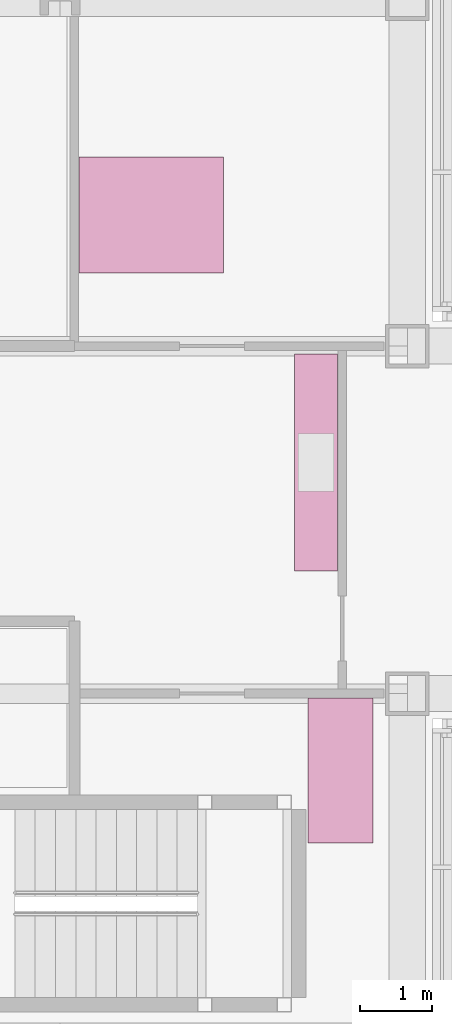
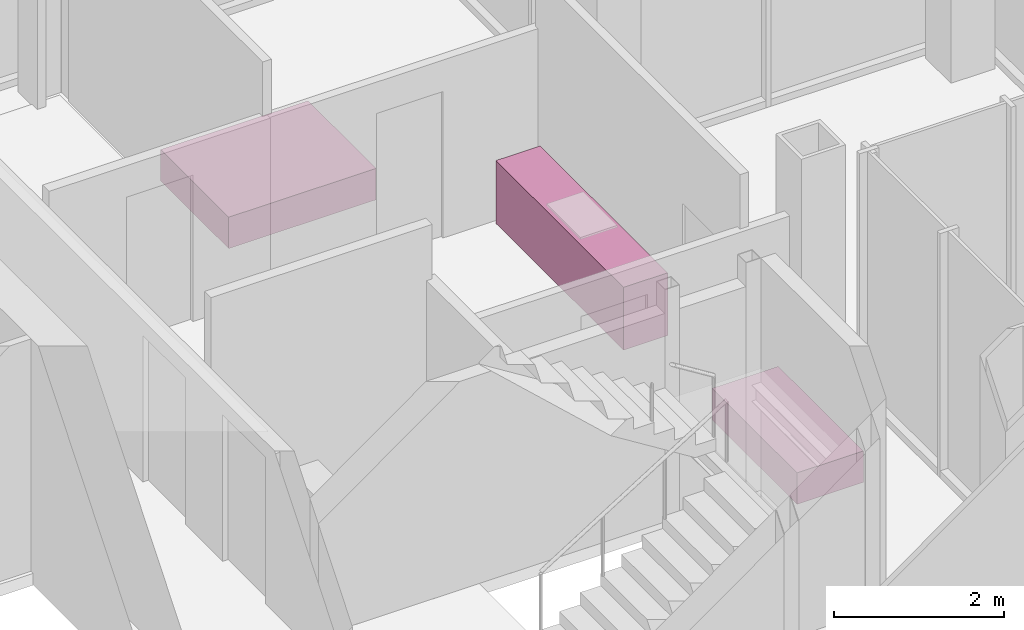
# One storey, part 15 of 15: 3 furniture elements.
"""IFC4 building model written with IfcOpenShell, lengths in metres."""

import ifcopenshell
import ifcopenshell.guid

model = None  # the IFC model being written
_history = None  # IfcOwnerHistory: only IFC2X3 demands one
_inside = {}  # id of a spatial element -> (the spatial element, [elements in it])
_under = {}  # id of a project, library or spatial element -> (it, [spatial elements below it])
_declared = {}  # id of a project -> (the project, [libraries it declares])
_typed = {}  # id of a type object -> (the type object, [elements of that type])
_made_of = {}  # id of a material, layer set ... -> (it, [elements and type objects made of it])


def new_model(schema):
    """Start an empty IFC model of exactly this schema.

    Asked for "IFC4X3", IfcOpenShell would pick the latest addendum, in which some entities
    have other attributes; the version numbers below select the first issue.
    IFC2X3 requires an IfcOwnerHistory on every rooted entity: one is made here for all.
    """
    global model, _history
    if schema == "IFC4X3":
        model = ifcopenshell.file(schema_version=(4, 3, 0, 0))
    else:
        model = ifcopenshell.file(schema=schema)
    _inside.clear()
    _under.clear()
    _declared.clear()
    _typed.clear()
    _made_of.clear()
    _history = None
    if model.schema == "IFC2X3":
        org = make("IfcOrganization", Name="unknown")
        user = make(
            "IfcPersonAndOrganization",
            ThePerson=make("IfcPerson", FamilyName="unknown"),
            TheOrganization=org,
        )
        app = make(
            "IfcApplication",
            ApplicationDeveloper=org,
            Version="unknown",
            ApplicationFullName="unknown",
            ApplicationIdentifier="unknown",
        )
        _history = make(
            "IfcOwnerHistory",
            OwningUser=user,
            OwningApplication=app,
            ChangeAction="ADDED",
            CreationDate=0,
        )
    return model


def make(cls, **values):
    """One entity of the class cls with the attributes given. An attribute that is None is left unset."""
    return model.create_entity(
        cls, **{name: value for name, value in values.items() if value is not None}
    )


def rooted(cls, **values):
    """An entity with a GlobalId (a new one), such as an element, a storey or a relation."""
    return make(cls, GlobalId=ifcopenshell.guid.new(), OwnerHistory=_history, **values)


def si_unit(unit_type, name, prefix=None):
    """IfcSIUnit, for example si_unit("LENGTHUNIT", "METRE", prefix="MILLI")."""
    return make("IfcSIUnit", UnitType=unit_type, Prefix=prefix, Name=name)


def assignment(units):
    """IfcUnitAssignment: the units of a project."""
    return None if units is None else make("IfcUnitAssignment", Units=units)


def point(xyz):
    """IfcCartesianPoint."""
    return None if xyz is None else make("IfcCartesianPoint", Coordinates=xyz)


def direction(xyz):
    """IfcDirection."""
    return None if xyz is None else make("IfcDirection", DirectionRatios=xyz)


def frame(location, z_axis=None, x_axis=None):
    """IfcAxis2Placement3D, a coordinate frame: its origin and axes. An axis left out is left unset."""
    return make(
        "IfcAxis2Placement3D",
        Location=point(location),
        Axis=direction(z_axis),
        RefDirection=direction(x_axis),
    )


def frame_2d(location, x_axis=None):
    """IfcAxis2Placement2D, a coordinate frame in the plane: its origin and x axis."""
    return make(
        "IfcAxis2Placement2D", Location=point(location), RefDirection=direction(x_axis)
    )


def origin():
    """The frame at (0, 0, 0) with its axes left unset."""
    return frame((0.0, 0.0, 0.0))


def origin_2d():
    """The frame at (0, 0) in the plane with its x axis left unset."""
    return frame_2d((0.0, 0.0))


def place(relative_to, where):
    """IfcLocalPlacement: puts the frame where relative to a parent placement (None: the world)."""
    return make(
        "IfcLocalPlacement", PlacementRelTo=relative_to, RelativePlacement=where
    )


def context(
    kind, dimensions, precision=None, world=None, true_north=None, identifier=None
):
    """IfcGeometricRepresentationContext, for example the 3D "Model" context."""
    return make(
        "IfcGeometricRepresentationContext",
        ContextIdentifier=identifier,
        ContextType=kind,
        CoordinateSpaceDimension=dimensions,
        Precision=precision,
        WorldCoordinateSystem=world,
        TrueNorth=true_north,
    )


def subcontext(parent, identifier, kind, view, scale=None):
    """IfcGeometricRepresentationSubContext, for example "Body" below "Model"."""
    return make(
        "IfcGeometricRepresentationSubContext",
        ContextIdentifier=identifier,
        ContextType=kind,
        ParentContext=parent,
        TargetScale=scale,
        TargetView=view,
    )


def project(units=None, contexts=None):
    """IfcProject with its units and contexts."""
    return rooted(
        "IfcProject",
        Name="project",
        RepresentationContexts=contexts,
        UnitsInContext=assignment(units),
    )


def spatial(cls, under=None, at=None, **own):
    """A site, building, storey or space (cls), placed at a placement, below another one or the project."""
    s = rooted(cls, ObjectPlacement=at, **own)
    if under is not None:
        _under.setdefault(under.id(), (under, []))[1].append(s)
    return s


def profile(cls, at=None, kind="AREA", **sizes):
    """A parametric profile (cls). Its sizes go by their IFC names, for example OverallWidth=200.0."""
    return make(cls, ProfileType=kind, Position=at, **sizes)


def rectangle(**sizes):
    """IfcRectangleProfileDef."""
    return profile("IfcRectangleProfileDef", **sizes)


def extrude(swept, where, along, depth):
    """IfcExtrudedAreaSolid: the profile swept, set in the frame where, extruded along a direction by depth."""
    return make(
        "IfcExtrudedAreaSolid",
        SweptArea=swept,
        Position=where,
        ExtrudedDirection=direction(along),
        Depth=depth,
    )


def shape(context_of_items, identifier, shape_type, items):
    """IfcShapeRepresentation: the items that make up one representation, for example the "Body"."""
    return make(
        "IfcShapeRepresentation",
        ContextOfItems=context_of_items,
        RepresentationIdentifier=identifier,
        RepresentationType=shape_type,
        Items=items,
    )


def material(Name=None, Category=None):
    """IfcMaterial."""
    return make("IfcMaterial", Name=Name, Category=Category)


def made_of(thing, what):
    """Note that an element or type object is made of a material, layer set ...; save() writes the relation."""
    if what is not None:
        _made_of.setdefault(what.id(), (what, []))[1].append(thing)
    return thing


def type_object(cls, material=None, **own):
    """A type object (cls), such as IfcWallType, which elements share."""
    return made_of(rooted(cls, **own), material)


def element(
    cls,
    number,
    at=None,
    inside=None,
    cuts=None,
    type_object=None,
    material=None,
    context=None,
    identifier="Body",
    shape_type=None,
    held_by="IfcProductDefinitionShape",
    body=None,
    shapes=None,
    **own,
):
    """One element of the class cls, such as IfcWall. Its Tag is "e" and its number.

    at: its placement. inside: the storey or other place that contains it. cuts: it is an
    opening in that element (IfcRelVoidsElement). A single representation is given by context,
    identifier, shape_type and body (its items); several are given by shapes. held_by: the class
    of the entity that holds the representations. save() writes the other relations.
    """
    e = rooted(cls, Tag="e%d" % number, ObjectPlacement=at, **own)
    if body is not None:
        shapes = [shape(context, identifier, shape_type, body)]
    if shapes is not None:
        e.Representation = make(held_by, Representations=shapes)
    if inside is not None:
        _inside.setdefault(inside.id(), (inside, []))[1].append(e)
    if cuts is not None:
        rooted(
            "IfcRelVoidsElement", RelatingBuildingElement=cuts, RelatedOpeningElement=e
        )
    if type_object is not None:
        _typed.setdefault(type_object.id(), (type_object, []))[1].append(e)
    return made_of(e, material)


def aggregate(whole, parts):
    """IfcRelAggregates: a whole, such as a stair, and the parts it consists of."""
    return rooted("IfcRelAggregates", RelatingObject=whole, RelatedObjects=parts)


def save(model, path):
    """Write the relations noted so far, then the file.

    IfcRelAggregates (storeys below a building ...), IfcRelContainedInSpatialStructure (elements
    in a storey), IfcRelDefinesByType, IfcRelAssociatesMaterial and IfcRelDeclares: one each for
    every whole, place, type object, material and project.
    """
    for whole, parts in _under.values():
        aggregate(whole, parts)
    for where, things in _inside.values():
        rooted(
            "IfcRelContainedInSpatialStructure",
            RelatedElements=things,
            RelatingStructure=where,
        )
    for kind, things in _typed.values():
        rooted("IfcRelDefinesByType", RelatedObjects=things, RelatingType=kind)
    for what, things in _made_of.values():
        rooted("IfcRelAssociatesMaterial", RelatedObjects=things, RelatingMaterial=what)
    for by, libraries in _declared.values():
        rooted("IfcRelDeclares", RelatingContext=by, RelatedDefinitions=libraries)
    model.write(path)


model = new_model("IFC4")

# Units and contexts
model_context = context("Model", 3, precision=1e-05, world=origin(), true_north=direction((0.0, 1.0)))
body_context = subcontext(model_context, "Body", "Model", "MODEL_VIEW")
ifc_project = project(units=[si_unit("LENGTHUNIT", "METRE"), si_unit("AREAUNIT", "SQUARE_METRE"), si_unit("VOLUMEUNIT", "CUBIC_METRE"), si_unit("PLANEANGLEUNIT", "RADIAN"), si_unit("MASSUNIT", "GRAM", prefix="KILO")], contexts=[model_context])

# Site, building, storey
site_placement = place(None, origin())
site = spatial("IfcSite", under=ifc_project, at=site_placement, CompositionType="ELEMENT")
building_placement = place(site_placement, origin())
building = spatial("IfcBuilding", under=site, at=building_placement, Name="Kvirike Care Tower", CompositionType="ELEMENT")
storey_placement = place(building_placement, frame((0.0, 0.0, 229.5)))
storey = spatial("IfcBuildingStorey", under=building, at=storey_placement, Name="L63", CompositionType="ELEMENT", Elevation=229.5)

# Furniture
ifc_material_1 = material(Name="Timber", Category="wood")
furniture_type_1 = type_object("IfcFurnitureType", Name="DOUBLE BED 1600 x 2000", AssemblyPlace="FACTORY", PredefinedType="BED", material=ifc_material_1)
furniture_1_placement = place(storey_placement, frame((34.862060546875, 40.2099609375, 0.0), z_axis=(0.0, 0.0, 1.0), x_axis=(0.0, 1.0, 0.0)))
element("IfcFurniture", 1, at=furniture_1_placement, inside=storey, type_object=furniture_type_1, Name="Double bed L63-022", PredefinedType="BED", context=body_context, shape_type="SweptSolid", body=[
    extrude(rectangle(XDim=1.60009765625, YDim=2.0, at=origin_2d()), origin(), (0.0, 0.0, 1.0), 0.449951171875),
])
ifc_material_2 = material(Name="Laminated board", Category="wood")
furniture_type_2 = type_object("IfcFurnitureType", Name="KITCHEN UNIT RUN 600", AssemblyPlace="FACTORY", PredefinedType="USERDEFINED", material=ifc_material_2)
furniture_2_placement = place(storey_placement, frame((37.137939453125, 36.7900390625, 0.0), z_axis=(0.0, 0.0, 1.0), x_axis=(0.0, -1.0, 0.0)))
element("IfcFurniture", 2, at=furniture_2_placement, inside=storey, type_object=furniture_type_2, Name="Kitchen unit run L63-025", ObjectType="KITCHEN UNIT", PredefinedType="USERDEFINED", context=body_context, shape_type="SweptSolid", body=[
    extrude(rectangle(XDim=3.0, YDim=0.60009765625, at=origin_2d()), origin(), (0.0, 0.0, 1.0), 0.89990234375),
])
ifc_material_3 = material(Name="Timber", Category="wood")
furniture_type_3 = type_object("IfcFurnitureType", Name="SINGLE BED 900 x 2000", AssemblyPlace="FACTORY", PredefinedType="BED", material=ifc_material_3)
furniture_3_placement = place(storey_placement, frame((37.47509765625, 32.5380859375, 0.0), z_axis=(0.0, 0.0, 1.0), x_axis=(1.0, 0.0, 0.0)))
element("IfcFurniture", 3, at=furniture_3_placement, inside=storey, type_object=furniture_type_3, Name="Single bed L63-020", PredefinedType="BED", context=body_context, shape_type="SweptSolid", body=[
    extrude(rectangle(XDim=0.89990234375, YDim=2.0, at=origin_2d()), origin(), (0.0, 0.0, 1.0), 0.449951171875),
])

save(model, "model.ifc")
